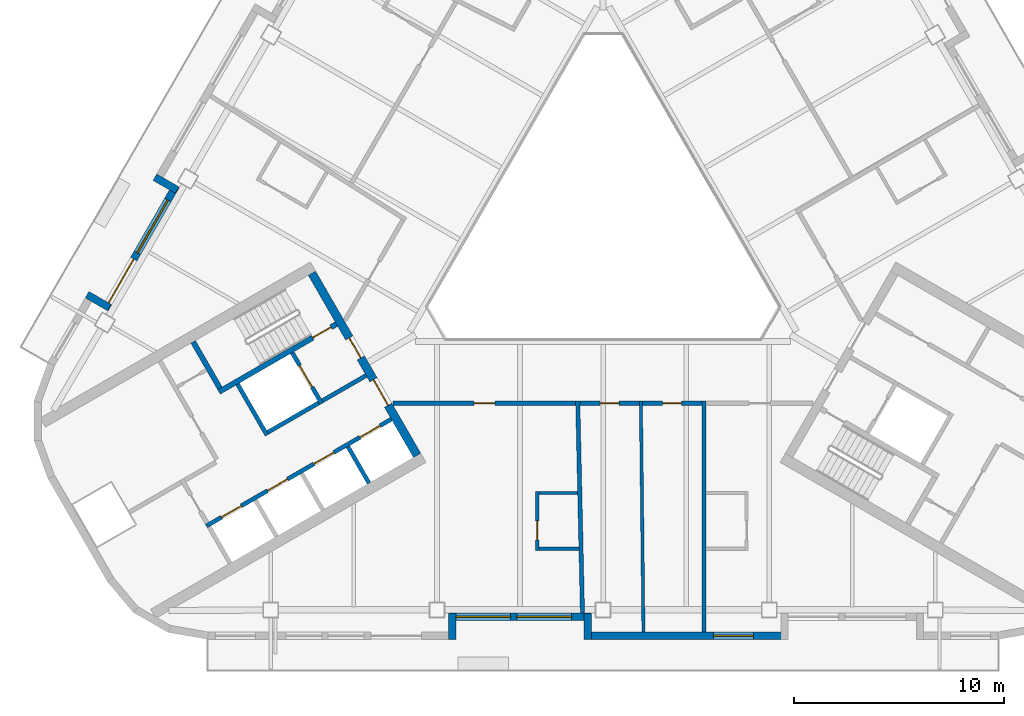
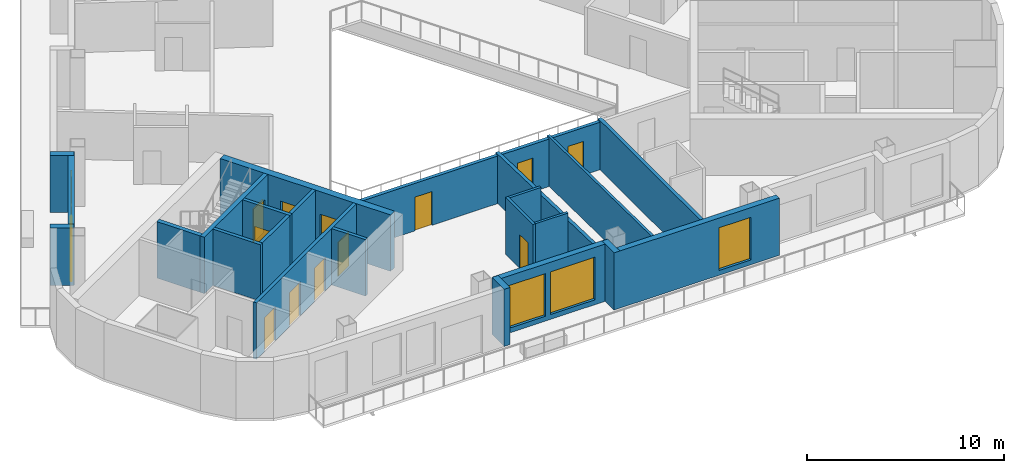
# One storey, part 3 of 13: 25 walls, 13 doors, 4 windows, 17 openings.
"""IFC4 building model written with IfcOpenShell, lengths in metres."""

from ifc_helpers import new_model, si_unit, direction, frame, frame_2d, origin, place, context, subcontext, project, spatial, rectangle, extrude, material, layer, layer_set, type_object, element, fill, save


model = new_model("IFC4")

# Units and contexts
model_context = context("Model", 3, precision=1e-05, world=origin(), true_north=direction((0.0, 1.0)))
body_context = subcontext(model_context, "Body", "Model", "MODEL_VIEW")
ifc_project = project(units=[si_unit("LENGTHUNIT", "METRE"), si_unit("AREAUNIT", "SQUARE_METRE"), si_unit("VOLUMEUNIT", "CUBIC_METRE"), si_unit("PLANEANGLEUNIT", "RADIAN"), si_unit("MASSUNIT", "GRAM", prefix="KILO")], contexts=[model_context])

# Site, building, storey
site_placement = place(None, origin())
site = spatial("IfcSite", under=ifc_project, at=site_placement, CompositionType="ELEMENT")
building_placement = place(site_placement, origin())
building = spatial("IfcBuilding", under=site, at=building_placement, Name="Apuvela Tower Hotel", CompositionType="ELEMENT")
storey_placement = place(building_placement, frame((0.0, 0.0, 198.39990234375)))
storey = spatial("IfcBuildingStorey", under=building, at=storey_placement, Name="L48", CompositionType="ELEMENT", Elevation=198.39990234375)

# Wall, openings, doors
ifc_material_1 = material(Name="Concrete C50/60", Category="concrete")
ifc_layer_1 = layer(ifc_material_1, 0.39990234375)
ifc_layer_set_1 = layer_set([ifc_layer_1], Name="COR-WALL-CORE-400")
wall_type_1 = type_object("IfcWallType", Name="COR-WALL-CORE-400", PredefinedType="SHEAR", material=ifc_layer_set_1)
wall_1_placement = place(storey_placement, frame((-13.844970703125, -2.219970703125, 0.0), z_axis=(0.0, 0.0, 1.0), x_axis=(0.500004234368, -0.866022959057, 0.0)))
wall_1 = element("IfcWall", 1, at=wall_1_placement, inside=storey, type_object=wall_type_1, Name="Core wall SW", PredefinedType="SHEAR", context=body_context, shape_type="SweptSolid", body=[
    extrude(rectangle(XDim=10.0, YDim=0.39990234375, at=frame_2d((5.0, 0.0))), origin(), (0.0, 0.0, 1.0), 3.5),
])
opening_1_placement = place(wall_1_placement, frame((3.550048828125, 0.0, 0.0)))
opening_1 = element("IfcOpeningElement", 2, at=opening_1_placement, cuts=wall_1, Name="Opening W-FD", PredefinedType="OPENING", context=body_context, shape_type="SweptSolid", body=[
    extrude(rectangle(XDim=1.10009765625, YDim=2.10009765625, at=frame_2d((0.550048828125, 1.050048828125))), frame((0.0, 0.2099609375, 0.0), z_axis=(0.0, -1.0, 0.0), x_axis=(1.0, 0.0, 0.0)), (0.0, 0.0, 1.0), 0.419921875),
])
opening_2_placement = place(wall_1_placement, frame((5.85009765625, 0.0, 0.0)))
opening_2 = element("IfcOpeningElement", 3, at=opening_2_placement, cuts=wall_1, Name="Opening W-GD", PredefinedType="OPENING", context=body_context, shape_type="SweptSolid", body=[
    extrude(rectangle(XDim=1.39990234375, YDim=2.10009765625, at=frame_2d((0.699951171875, 1.050048828125))), frame((0.0, 0.2099609375, 0.0), z_axis=(0.0, -1.0, 0.0), x_axis=(1.0, 0.0, 0.0)), (0.0, 0.0, 1.0), 0.419921875),
])
ifc_material_2 = material(Name="Steel fire door, powder coated", Category="steel")
door_type_1 = type_object("IfcDoorType", Name="COR-FD-1100", OperationType="NOTDEFINED", PredefinedType="DOOR", material=ifc_material_2)
door_1_placement = place(opening_1_placement, frame((1.10009765625, 0.0, 0.0), z_axis=(0.0, 0.0, 1.0), x_axis=(-1.0, 0.0, 0.0)))
door_1 = element("IfcDoor", 4, at=door_1_placement, inside=storey, type_object=door_type_1, Name="Firefighting lobby door W-FD", OperationType="SINGLE_SWING_LEFT", OverallHeight=2.10009765625, OverallWidth=1.10009765625, PredefinedType="DOOR", context=body_context, shape_type="SweptSolid", body=[
    extrude(rectangle(XDim=1.10009765625, YDim=2.10009765625, at=frame_2d((0.550048828125, 1.050048828125))), frame((0.0, 0.02490234375, 0.0), z_axis=(0.0, -1.0, 0.0), x_axis=(1.0, 0.0, 0.0)), (0.0, 0.0, 1.0), 0.050048828125),
])
fill(opening_1, door_1)
ifc_material_3 = material(Name="Glazed steel fire door", Category="steel")
door_type_2 = type_object("IfcDoorType", Name="COR-GD-1400", OperationType="DOUBLE_DOOR_SINGLE_SWING", PredefinedType="DOOR", material=ifc_material_3)
door_2_placement = place(opening_2_placement, frame((1.39990234375, 0.0, 0.0), z_axis=(0.0, 0.0, 1.0), x_axis=(-1.0, 0.0, 0.0)))
door_2 = element("IfcDoor", 5, at=door_2_placement, inside=storey, type_object=door_type_2, Name="Lift lobby door W-GD", OperationType="DOUBLE_DOOR_SINGLE_SWING", OverallHeight=2.10009765625, OverallWidth=1.39990234375, PredefinedType="DOOR", context=body_context, shape_type="SweptSolid", body=[
    extrude(rectangle(XDim=1.39990234375, YDim=2.10009765625, at=frame_2d((0.699951171875, 1.050048828125))), frame((0.0, 0.02490234375, 0.0), z_axis=(0.0, -1.0, 0.0), x_axis=(1.0, 0.0, 0.0)), (0.0, 0.0, 1.0), 0.050048828125),
])
fill(opening_2, door_2)

# Wall
ifc_layer_2 = layer(ifc_material_1, 0.199951171875)
ifc_layer_set_2 = layer_set([ifc_layer_2], Name="COR-WALL-SHAFT-200")
wall_type_2 = type_object("IfcWallType", Name="COR-WALL-SHAFT-200", PredefinedType="SHEAR", material=ifc_layer_set_2)
wall_2_placement = place(storey_placement, frame((-17.38134765625, -7.49462890625, 0.0), z_axis=(0.0, 0.0, 1.0), x_axis=(0.500011755427, -0.866018616679, 0.0)))
element("IfcWall", 6, at=wall_2_placement, inside=storey, type_object=wall_type_2, Name="Shaft wall SW", PredefinedType="SHEAR", context=body_context, shape_type="SweptSolid", body=[
    extrude(rectangle(XDim=2.80029296875, YDim=0.199951171875, at=frame_2d((1.400146484375, 0.0))), origin(), (0.0, 0.0, 1.0), 3.5),
])

# Wall, opening, door
wall_3_placement = place(storey_placement, frame((-14.783203125, -5.99462890625, 0.0), z_axis=(0.0, 0.0, 1.0), x_axis=(0.49994636267, -0.866056369097, 0.0)))
wall_3 = element("IfcWall", 7, at=wall_3_placement, inside=storey, type_object=wall_type_2, Name="Shaft wall SW", PredefinedType="SHEAR", context=body_context, shape_type="SweptSolid", body=[
    extrude(rectangle(XDim=2.800048828125, YDim=0.199951171875, at=frame_2d((1.39990234375, 0.0))), origin(), (0.0, 0.0, 1.0), 3.5),
])
opening_3_placement = place(wall_3_placement, frame((0.699951171875, 0.0, 0.0)))
opening_3 = element("IfcOpeningElement", 8, at=opening_3_placement, cuts=wall_3, Name="Opening W-LD-FS2", PredefinedType="OPENING", context=body_context, shape_type="SweptSolid", body=[
    extrude(rectangle(XDim=1.199951171875, YDim=2.10009765625, at=frame_2d((0.60009765625, 1.050048828125))), frame((0.0, 0.10986328125, 0.0), z_axis=(0.0, -1.0, 0.0), x_axis=(1.0, 0.0, 0.0)), (0.0, 0.0, 1.0), 0.219970703125),
])
ifc_material_4 = material(Name="Stainless steel lift landing door", Category="steel")
door_type_3 = type_object("IfcDoorType", Name="COR-LD-1200", OperationType="DOUBLE_DOOR_SLIDING", PredefinedType="DOOR", material=ifc_material_4)
door_3_placement = place(opening_3_placement, origin())
door_3 = element("IfcDoor", 9, at=door_3_placement, inside=storey, type_object=door_type_3, Name="Lift landing door W-LD-FS2", OperationType="DOUBLE_DOOR_SLIDING", OverallHeight=2.10009765625, OverallWidth=1.199951171875, PredefinedType="DOOR", context=body_context, shape_type="SweptSolid", body=[
    extrude(rectangle(XDim=1.199951171875, YDim=2.10009765625, at=frame_2d((0.60009765625, 1.050048828125))), frame((0.0, 0.02490234375, 0.0), z_axis=(0.0, -1.0, 0.0), x_axis=(1.0, 0.0, 0.0)), (0.0, 0.0, 1.0), 0.050048828125),
])
fill(opening_3, door_3)

# Walls
wall_4_placement = place(storey_placement, frame((-13.519775390625, -8.383056640625, 0.0), z_axis=(0.0, 0.0, 1.0), x_axis=(-0.866034573852, -0.49998411664, 0.0)))
element("IfcWall", 10, at=wall_4_placement, inside=storey, type_object=wall_type_2, Name="Shaft wall SW", PredefinedType="SHEAR", context=body_context, shape_type="SweptSolid", body=[
    extrude(rectangle(XDim=2.7998046875, YDim=0.199951171875, at=frame_2d((1.39990234375, 0.0))), origin(), (0.0, 0.0, 1.0), 3.5),
])
wall_5_placement = place(storey_placement, frame((-11.26806640625, -7.0830078125, 0.0), z_axis=(0.0, 0.0, 1.0), x_axis=(-0.866050077142, -0.499957262057, 0.0)))
element("IfcWall", 11, at=wall_5_placement, inside=storey, type_object=wall_type_2, Name="Shaft wall SW", PredefinedType="SHEAR", context=body_context, shape_type="SweptSolid", body=[
    extrude(rectangle(XDim=2.400146484375, YDim=0.199951171875, at=frame_2d((1.2001953125, 0.0))), origin(), (0.0, 0.0, 1.0), 3.5),
])

# Wall, openings, doors
wall_6_placement = place(storey_placement, frame((-10.068115234375, -9.16162109375, 0.0), z_axis=(0.0, 0.0, 1.0), x_axis=(-0.866032725843, -0.499987317609, 0.0)))
wall_6 = element("IfcWall", 12, at=wall_6_placement, inside=storey, type_object=wall_type_2, Name="Shaft wall SW", PredefinedType="SHEAR", context=body_context, shape_type="SweptSolid", body=[
    extrude(rectangle(XDim=10.159912109375, YDim=0.199951171875, at=frame_2d((5.080078125, 0.0))), origin(), (0.0, 0.0, 1.0), 3.5),
])
opening_4_placement = place(wall_6_placement, frame((0.6201171875, 0.0, 0.0)))
opening_4 = element("IfcOpeningElement", 13, at=opening_4_placement, cuts=wall_6, Name="Opening W-LD-MR1", PredefinedType="OPENING", context=body_context, shape_type="SweptSolid", body=[
    extrude(rectangle(XDim=1.10009765625, YDim=2.10009765625, at=frame_2d((0.550048828125, 1.050048828125))), frame((0.0, 0.10986328125, 0.0), z_axis=(0.0, -1.0, 0.0), x_axis=(1.0, 0.0, 0.0)), (0.0, 0.0, 1.0), 0.219970703125),
])
opening_5_placement = place(wall_6_placement, frame((3.159912109375, 0.0, 0.0)))
opening_5 = element("IfcOpeningElement", 14, at=opening_5_placement, cuts=wall_6, Name="Opening W-LD-MR2", PredefinedType="OPENING", context=body_context, shape_type="SweptSolid", body=[
    extrude(rectangle(XDim=1.10009765625, YDim=2.10009765625, at=frame_2d((0.550048828125, 1.050048828125))), frame((0.0, 0.10986328125, 0.0), z_axis=(0.0, -1.0, 0.0), x_axis=(1.0, 0.0, 0.0)), (0.0, 0.0, 1.0), 0.219970703125),
])
opening_6_placement = place(wall_6_placement, frame((5.699951171875, 0.0, 0.0)))
opening_6 = element("IfcOpeningElement", 15, at=opening_6_placement, cuts=wall_6, Name="Opening W-LD-MR3", PredefinedType="OPENING", context=body_context, shape_type="SweptSolid", body=[
    extrude(rectangle(XDim=1.10009765625, YDim=2.10009765625, at=frame_2d((0.550048828125, 1.050048828125))), frame((0.0, 0.10986328125, 0.0), z_axis=(0.0, -1.0, 0.0), x_axis=(1.0, 0.0, 0.0)), (0.0, 0.0, 1.0), 0.219970703125),
])
opening_7_placement = place(wall_6_placement, frame((8.239990234375, 0.0, 0.0)))
opening_7 = element("IfcOpeningElement", 16, at=opening_7_placement, cuts=wall_6, Name="Opening W-LD-MR4", PredefinedType="OPENING", context=body_context, shape_type="SweptSolid", body=[
    extrude(rectangle(XDim=1.10009765625, YDim=2.10009765625, at=frame_2d((0.550048828125, 1.050048828125))), frame((0.0, 0.10986328125, 0.0), z_axis=(0.0, -1.0, 0.0), x_axis=(1.0, 0.0, 0.0)), (0.0, 0.0, 1.0), 0.219970703125),
])
door_type_4 = type_object("IfcDoorType", Name="COR-LD-1100", OperationType="DOUBLE_DOOR_SLIDING", PredefinedType="DOOR", material=ifc_material_4)
door_4_placement = place(opening_4_placement, origin())
door_4 = element("IfcDoor", 17, at=door_4_placement, inside=storey, type_object=door_type_4, Name="Lift landing door W-LD-MR1", OperationType="DOUBLE_DOOR_SLIDING", OverallHeight=2.10009765625, OverallWidth=1.10009765625, PredefinedType="DOOR", context=body_context, shape_type="SweptSolid", body=[
    extrude(rectangle(XDim=1.10009765625, YDim=2.10009765625, at=frame_2d((0.550048828125, 1.050048828125))), frame((0.0, 0.02490234375, 0.0), z_axis=(0.0, -1.0, 0.0), x_axis=(1.0, 0.0, 0.0)), (0.0, 0.0, 1.0), 0.050048828125),
])
fill(opening_4, door_4)
door_5_placement = place(opening_5_placement, origin())
door_5 = element("IfcDoor", 18, at=door_5_placement, inside=storey, type_object=door_type_4, Name="Lift landing door W-LD-MR2", OperationType="DOUBLE_DOOR_SLIDING", OverallHeight=2.10009765625, OverallWidth=1.10009765625, PredefinedType="DOOR", context=body_context, shape_type="SweptSolid", body=[
    extrude(rectangle(XDim=1.10009765625, YDim=2.10009765625, at=frame_2d((0.550048828125, 1.050048828125))), frame((0.0, 0.02490234375, 0.0), z_axis=(0.0, -1.0, 0.0), x_axis=(1.0, 0.0, 0.0)), (0.0, 0.0, 1.0), 0.050048828125),
])
fill(opening_5, door_5)
door_6_placement = place(opening_6_placement, origin())
door_6 = element("IfcDoor", 19, at=door_6_placement, inside=storey, type_object=door_type_4, Name="Lift landing door W-LD-MR3", OperationType="DOUBLE_DOOR_SLIDING", OverallHeight=2.10009765625, OverallWidth=1.10009765625, PredefinedType="DOOR", context=body_context, shape_type="SweptSolid", body=[
    extrude(rectangle(XDim=1.10009765625, YDim=2.10009765625, at=frame_2d((0.550048828125, 1.050048828125))), frame((0.0, 0.02490234375, 0.0), z_axis=(0.0, -1.0, 0.0), x_axis=(1.0, 0.0, 0.0)), (0.0, 0.0, 1.0), 0.050048828125),
])
fill(opening_6, door_6)
door_7_placement = place(opening_7_placement, origin())
door_7 = element("IfcDoor", 20, at=door_7_placement, inside=storey, type_object=door_type_4, Name="Lift landing door W-LD-MR4", OperationType="DOUBLE_DOOR_SLIDING", OverallHeight=2.10009765625, OverallWidth=1.10009765625, PredefinedType="DOOR", context=body_context, shape_type="SweptSolid", body=[
    extrude(rectangle(XDim=1.10009765625, YDim=2.10009765625, at=frame_2d((0.550048828125, 1.050048828125))), frame((0.0, 0.02490234375, 0.0), z_axis=(0.0, -1.0, 0.0), x_axis=(1.0, 0.0, 0.0)), (0.0, 0.0, 1.0), 0.050048828125),
])
fill(opening_7, door_7)

# Wall
wall_7_placement = place(storey_placement, frame((-12.131103515625, -10.468017578125, 0.0), z_axis=(0.0, 0.0, 1.0), x_axis=(0.499972520799, -0.866041268327, 0.0)))
element("IfcWall", 21, at=wall_7_placement, inside=storey, type_object=wall_type_2, Name="Shaft wall SW", PredefinedType="SHEAR", context=body_context, shape_type="SweptSolid", body=[
    extrude(rectangle(XDim=2.0, YDim=0.199951171875, at=frame_2d((1.0, 0.0))), origin(), (0.0, 0.0, 1.0), 3.5),
])

# Wall, opening, door
ifc_layer_3 = layer(ifc_material_1, 0.25)
ifc_layer_set_3 = layer_set([ifc_layer_3], Name="COR-WALL-STAIR-250")
wall_type_3 = type_object("IfcWallType", Name="COR-WALL-STAIR-250", PredefinedType="SHEAR", material=ifc_layer_set_3)
wall_8_placement = place(storey_placement, frame((-12.6806640625, -4.636474609375, 0.0), z_axis=(0.0, 0.0, 1.0), x_axis=(-0.866021702275, -0.500006411147, 0.0)))
wall_8 = element("IfcWall", 22, at=wall_8_placement, inside=storey, type_object=wall_type_3, Name="Stair wall SW", PredefinedType="SHEAR", context=body_context, shape_type="SweptSolid", body=[
    extrude(rectangle(XDim=6.4501953125, YDim=0.25, at=frame_2d((3.22509765625, 0.0))), origin(), (0.0, 0.0, 1.0), 3.5),
])
opening_8_placement = place(wall_8_placement, frame((0.300048828125, 0.0, 0.0)))
opening_8 = element("IfcOpeningElement", 23, at=opening_8_placement, cuts=wall_8, Name="Opening W-SD", PredefinedType="OPENING", context=body_context, shape_type="SweptSolid", body=[
    extrude(rectangle(XDim=1.0, YDim=2.10009765625, at=frame_2d((0.5, 1.050048828125))), frame((0.0, 0.135009765625, 0.0), z_axis=(0.0, -1.0, 0.0), x_axis=(1.0, 0.0, 0.0)), (0.0, 0.0, 1.0), 0.27001953125),
])
door_type_5 = type_object("IfcDoorType", Name="COR-SD-1000", OperationType="NOTDEFINED", PredefinedType="DOOR", material=ifc_material_2)
door_8_placement = place(opening_8_placement, frame((1.0, 0.0, 0.0), z_axis=(0.0, 0.0, 1.0), x_axis=(-1.0, 0.0, 0.0)))
door_8 = element("IfcDoor", 24, at=door_8_placement, inside=storey, type_object=door_type_5, Name="Stair door W-SD", OperationType="SINGLE_SWING_LEFT", OverallHeight=2.10009765625, OverallWidth=1.0, PredefinedType="DOOR", context=body_context, shape_type="SweptSolid", body=[
    extrude(rectangle(XDim=1.0, YDim=2.10009765625, at=frame_2d((0.5, 1.050048828125))), frame((0.0, 0.02490234375, 0.0), z_axis=(0.0, -1.0, 0.0), x_axis=(1.0, 0.0, 0.0)), (0.0, 0.0, 1.0), 0.050048828125),
])
fill(opening_8, door_8)

# Walls
wall_9_placement = place(storey_placement, frame((-19.49560546875, -5.482421875, 0.0), z_axis=(0.0, 0.0, 1.0), x_axis=(0.499990435942, -0.866030925526, 0.0)))
element("IfcWall", 25, at=wall_9_placement, inside=storey, type_object=wall_type_3, Name="Stair wall SW", PredefinedType="SHEAR", context=body_context, shape_type="SweptSolid", body=[
    extrude(rectangle(XDim=2.5498046875, YDim=0.25, at=frame_2d((1.27490234375, 0.0))), origin(), (0.0, 0.0, 1.0), 3.5),
])
ifc_material_5 = material(Name="Concrete C40/50, dark pigmented precast panel", Category="concrete")
ifc_layer_4 = layer(ifc_material_5, 0.35009765625)
ifc_layer_set_4 = layer_set([ifc_layer_4], Name="ENV-WALL-350")
wall_type_4 = type_object("IfcWallType", Name="ENV-WALL-350", PredefinedType="SOLIDWALL", material=ifc_layer_set_4)
wall_10_placement = place(storey_placement, frame((-21.3125, 2.345703125, 0.0), z_axis=(0.0, 0.0, 1.0), x_axis=(0.866005645448, -0.500034220881, 0.0)))
element("IfcWall", 26, at=wall_10_placement, inside=storey, type_object=wall_type_4, Name="External wall L48-06", PredefinedType="SOLIDWALL", context=body_context, shape_type="SweptSolid", body=[
    extrude(rectangle(XDim=1.22021484375, YDim=0.35009765625, at=frame_2d((0.610107421875, 0.0))), origin(), (0.0, 0.0, 1.0), 3.550048828125),
])

# Wall, openings, door, window
wall_11_placement = place(storey_placement, frame((-20.30908203125, 1.93359375, 0.0), z_axis=(0.0, 0.0, 1.0), x_axis=(-0.499992114976, -0.866029956157, 0.0)))
wall_11 = element("IfcWall", 27, at=wall_11_placement, inside=storey, type_object=wall_type_4, Name="External wall L48-07", PredefinedType="SOLIDWALL", context=body_context, shape_type="SweptSolid", body=[
    extrude(rectangle(XDim=6.73974609375, YDim=0.35009765625, at=frame_2d((3.369873046875, 0.0))), origin(), (0.0, 0.0, 1.0), 3.550048828125),
])
opening_9_placement = place(wall_11_placement, frame((4.02001953125, 0.0, 0.0)))
opening_9 = element("IfcOpeningElement", 28, at=opening_9_placement, cuts=wall_11, Name="Opening BD24", PredefinedType="OPENING", context=body_context, shape_type="SweptSolid", body=[
    extrude(rectangle(XDim=2.39990234375, YDim=2.39990234375, at=frame_2d((1.199951171875, 1.199951171875))), frame((0.0, 0.18505859375, 0.0), z_axis=(0.0, -1.0, 0.0), x_axis=(1.0, 0.0, 0.0)), (0.0, 0.0, 1.0), 0.3701171875),
])
opening_10_placement = place(wall_11_placement, frame((0.77001953125, 0.0, 0.300048828125)))
opening_10 = element("IfcOpeningElement", 29, at=opening_10_placement, cuts=wall_11, Name="Opening WN29", PredefinedType="OPENING", context=body_context, shape_type="SweptSolid", body=[
    extrude(rectangle(XDim=2.89990234375, YDim=2.64990234375, at=frame_2d((1.449951171875, 1.324951171875))), frame((0.0, 0.18505859375, 0.0), z_axis=(0.0, -1.0, 0.0), x_axis=(1.0, 0.0, 0.0)), (0.0, 0.0, 1.0), 0.3701171875),
])
ifc_material_6 = material(Name="Aluminium 6063-T6, dark bronze anodised frame with dark tinted laminated glass", Category="aluminium")
door_type_6 = type_object("IfcDoorType", Name="ENV-DOOR-BALCONY-2400x2400", OperationType="SLIDING_TO_LEFT", PredefinedType="DOOR", material=ifc_material_6)
door_9_placement = place(opening_9_placement, frame((2.39990234375, 0.0, 0.0), z_axis=(0.0, 0.0, 1.0), x_axis=(-1.0, 0.0, 0.0)))
door_9 = element("IfcDoor", 30, at=door_9_placement, inside=storey, type_object=door_type_6, Name="Balcony door BD24", OperationType="SLIDING_TO_LEFT", OverallHeight=2.39990234375, OverallWidth=2.39990234375, PredefinedType="DOOR", context=body_context, shape_type="SweptSolid", body=[
    extrude(rectangle(XDim=2.39990234375, YDim=2.39990234375, at=frame_2d((1.199951171875, 1.199951171875))), frame((0.0, 0.02490234375, 0.0), z_axis=(0.0, -1.0, 0.0), x_axis=(1.0, 0.0, 0.0)), (0.0, 0.0, 1.0), 0.050048828125),
])
fill(opening_9, door_9)
ifc_material_7 = material(Name="Glass, dark tinted laminated insulated glazing unit", Category="glass")
window_type_1 = type_object("IfcWindowType", Name="ENV-WIN-2900x2650", PartitioningType="SINGLE_PANEL", PredefinedType="WINDOW", material=ifc_material_7)
window_1_placement = place(opening_10_placement, origin())
window_1 = element("IfcWindow", 31, at=window_1_placement, inside=storey, type_object=window_type_1, Name="Window WN29", OverallHeight=2.64990234375, OverallWidth=2.89990234375, PartitioningType="SINGLE_PANEL", PredefinedType="WINDOW", context=body_context, shape_type="SweptSolid", body=[
    extrude(rectangle(XDim=2.89990234375, YDim=2.64990234375, at=frame_2d((1.449951171875, 1.324951171875))), frame((0.0, 0.030029296875, 0.0), z_axis=(0.0, -1.0, 0.0), x_axis=(1.0, 0.0, 0.0)), (0.0, 0.0, 1.0), 0.06005859375),
])
fill(opening_10, window_1)

# Walls
for number, where, z_axis, x_axis, name in (
    (32, (-23.48095703125, -3.85009765625, 0.0), (0.0, 0.0, 1.0), (-0.866092288191, 0.499884134912, 0.0), "External wall L48-08"),
    (33, (-7.175048828125, -19.6298828125, 0.0), (0.0, 0.0, 1.0), (0.0, 1.0, 0.0), "External wall L48-18"),
):
    element("IfcWall", number, at=place(storey_placement, frame(where, z_axis=z_axis, x_axis=x_axis)), inside=storey, type_object=wall_type_4, Name=name, PredefinedType="SOLIDWALL", context=body_context, shape_type="SweptSolid", body=[
        extrude(rectangle(XDim=1.219970703125, YDim=0.35009765625, at=frame_2d((0.60986328125, 0.0))), origin(), (0.0, 0.0, 1.0), 3.550048828125),
    ])

# Wall, openings, windows
wall_12_placement = place(storey_placement, frame((-7.320068359375, -18.554931640625, 0.0), z_axis=(0.0, 0.0, 1.0), x_axis=(1.0, 0.0, 0.0)))
wall_12 = element("IfcWall", 34, at=wall_12_placement, inside=storey, type_object=wall_type_4, Name="External wall L48-19", PredefinedType="SOLIDWALL", context=body_context, shape_type="SweptSolid", body=[
    extrude(rectangle(XDim=6.739990234375, YDim=0.35009765625, at=frame_2d((3.3701171875, 0.0))), origin(), (0.0, 0.0, 1.0), 3.550048828125),
])
opening_11_placement = place(wall_12_placement, frame((0.3203125, 0.0, 0.300048828125)))
opening_11 = element("IfcOpeningElement", 35, at=opening_11_placement, cuts=wall_12, Name="Opening WN26", PredefinedType="OPENING", context=body_context, shape_type="SweptSolid", body=[
    extrude(rectangle(XDim=2.60009765625, YDim=2.64990234375, at=frame_2d((1.300048828125, 1.324951171875))), frame((0.0, 0.18505859375, 0.0), z_axis=(0.0, -1.0, 0.0), x_axis=(1.0, 0.0, 0.0)), (0.0, 0.0, 1.0), 0.3701171875),
])
opening_12_placement = place(wall_12_placement, frame((3.220458984375, 0.0, 0.300048828125)))
opening_12 = element("IfcOpeningElement", 36, at=opening_12_placement, cuts=wall_12, Name="Opening WN26", PredefinedType="OPENING", context=body_context, shape_type="SweptSolid", body=[
    extrude(rectangle(XDim=2.60009765625, YDim=2.64990234375, at=frame_2d((1.300048828125, 1.324951171875))), frame((0.0, 0.18505859375, 0.0), z_axis=(0.0, -1.0, 0.0), x_axis=(1.0, 0.0, 0.0)), (0.0, 0.0, 1.0), 0.3701171875),
])
window_type_2 = type_object("IfcWindowType", Name="ENV-WIN-2600x2650", PartitioningType="SINGLE_PANEL", PredefinedType="WINDOW", material=ifc_material_7)
window_2_placement = place(opening_11_placement, origin())
window_2 = element("IfcWindow", 37, at=window_2_placement, inside=storey, type_object=window_type_2, Name="Window WN26", OverallHeight=2.64990234375, OverallWidth=2.60009765625, PartitioningType="SINGLE_PANEL", PredefinedType="WINDOW", context=body_context, shape_type="SweptSolid", body=[
    extrude(rectangle(XDim=2.60009765625, YDim=2.64990234375, at=frame_2d((1.300048828125, 1.324951171875))), frame((0.0, 0.030029296875, 0.0), z_axis=(0.0, -1.0, 0.0), x_axis=(1.0, 0.0, 0.0)), (0.0, 0.0, 1.0), 0.06005859375),
])
fill(opening_11, window_2)
window_3_placement = place(opening_12_placement, origin())
window_3 = element("IfcWindow", 38, at=window_3_placement, inside=storey, type_object=window_type_2, Name="Window WN26", OverallHeight=2.64990234375, OverallWidth=2.60009765625, PartitioningType="SINGLE_PANEL", PredefinedType="WINDOW", context=body_context, shape_type="SweptSolid", body=[
    extrude(rectangle(XDim=2.60009765625, YDim=2.64990234375, at=frame_2d((1.300048828125, 1.324951171875))), frame((0.0, 0.030029296875, 0.0), z_axis=(0.0, -1.0, 0.0), x_axis=(1.0, 0.0, 0.0)), (0.0, 0.0, 1.0), 0.06005859375),
])
fill(opening_12, window_3)

# Wall
wall_13_placement = place(storey_placement, frame((-0.72509765625, -18.409912109375, 0.0), z_axis=(0.0, 0.0, 1.0), x_axis=(0.0, -1.0, 0.0)))
element("IfcWall", 39, at=wall_13_placement, inside=storey, type_object=wall_type_4, Name="External wall L48-20", PredefinedType="SOLIDWALL", context=body_context, shape_type="SweptSolid", body=[
    extrude(rectangle(XDim=1.219970703125, YDim=0.35009765625, at=frame_2d((0.60986328125, 0.0))), origin(), (0.0, 0.0, 1.0), 3.550048828125),
])

# Wall, opening, window
wall_14_placement = place(storey_placement, frame((-0.89990234375, -19.455078125, 0.0), z_axis=(0.0, 0.0, 1.0), x_axis=(1.0, 0.0, 0.0)))
wall_14 = element("IfcWall", 40, at=wall_14_placement, inside=storey, type_object=wall_type_4, Name="External wall L48-21", PredefinedType="SOLIDWALL", context=body_context, shape_type="SweptSolid", body=[
    extrude(rectangle(XDim=9.699951171875, YDim=0.35009765625, at=frame_2d((4.85009765625, 0.0))), origin(), (0.0, 0.0, 1.0), 3.550048828125),
])
opening_13_placement = place(wall_14_placement, frame((6.150390625, 0.0, 0.300048828125)))
opening_13 = element("IfcOpeningElement", 41, at=opening_13_placement, cuts=wall_14, Name="Opening WN19", PredefinedType="OPENING", context=body_context, shape_type="SweptSolid", body=[
    extrude(rectangle(XDim=1.89990234375, YDim=2.64990234375, at=frame_2d((0.949951171875, 1.324951171875))), frame((0.0, 0.18505859375, 0.0), z_axis=(0.0, -1.0, 0.0), x_axis=(1.0, 0.0, 0.0)), (0.0, 0.0, 1.0), 0.3701171875),
])
window_type_3 = type_object("IfcWindowType", Name="ENV-WIN-1900x2650", PartitioningType="SINGLE_PANEL", PredefinedType="WINDOW", material=ifc_material_7)
window_4_placement = place(opening_13_placement, origin())
window_4 = element("IfcWindow", 42, at=window_4_placement, inside=storey, type_object=window_type_3, Name="Window WN19", OverallHeight=2.64990234375, OverallWidth=1.89990234375, PartitioningType="SINGLE_PANEL", PredefinedType="WINDOW", context=body_context, shape_type="SweptSolid", body=[
    extrude(rectangle(XDim=1.89990234375, YDim=2.64990234375, at=frame_2d((0.949951171875, 1.324951171875))), frame((0.0, 0.030029296875, 0.0), z_axis=(0.0, -1.0, 0.0), x_axis=(1.0, 0.0, 0.0)), (0.0, 0.0, 1.0), 0.06005859375),
])
fill(opening_13, window_4)

# Walls
ifc_material_8 = material(Name="Gypsum board partition on twin steel stud", Category="steel")
ifc_layer_5 = layer(ifc_material_8, 0.199951171875)
ifc_layer_set_5 = layer_set([ifc_layer_5], Name="GST-PW1")
wall_type_5 = type_object("IfcWallType", Name="GST-PW1", PredefinedType="PARTITIONING", material=ifc_layer_set_5)
wall_15_placement = place(storey_placement, frame((-0.97998046875, -18.3798828125, 0.0), z_axis=(0.0, 0.0, 1.0), x_axis=(-0.022277513004, 0.999751825412, 0.0)))
element("IfcWall", 43, at=wall_15_placement, inside=storey, type_object=wall_type_5, Name="L48 partition 01", PredefinedType="PARTITIONING", context=body_context, shape_type="SweptSolid", body=[
    extrude(rectangle(XDim=10.082275390625, YDim=0.199951171875, at=frame_2d((5.041015625, 0.0))), origin(), (0.0, 0.0, 1.0), 3.06005859375),
])
wall_16_placement = place(storey_placement, frame((4.800048828125, -19.280029296875, 0.0), z_axis=(0.0, 0.0, 1.0), x_axis=(0.0, 1.0, 0.0)))
element("IfcWall", 44, at=wall_16_placement, inside=storey, type_object=wall_type_5, Name="L48 partition 02", PredefinedType="PARTITIONING", context=body_context, shape_type="SweptSolid", body=[
    extrude(rectangle(XDim=10.97998046875, YDim=0.199951171875, at=frame_2d((5.489990234375, 0.0))), origin(), (0.0, 0.0, 1.0), 3.06005859375),
])

# Wall, opening, door
ifc_material_9 = material(Name="Gypsum board corridor wall on twin steel stud, acoustic", Category="steel")
ifc_layer_6 = layer(ifc_material_9, 0.199951171875)
ifc_layer_set_6 = layer_set([ifc_layer_6], Name="GST-PW2")
wall_type_6 = type_object("IfcWallType", Name="GST-PW2", PredefinedType="PARTITIONING", material=ifc_layer_set_6)
wall_17_placement = place(storey_placement, frame((-1.30224609375, -8.39990234375, 0.0), z_axis=(0.0, 0.0, 1.0), x_axis=(-1.0, 0.0, 0.0)))
wall_17 = element("IfcWall", 45, at=wall_17_placement, inside=storey, type_object=wall_type_6, Name="L48 partition 07", PredefinedType="PARTITIONING", context=body_context, shape_type="SweptSolid", body=[
    extrude(rectangle(XDim=8.68603515625, YDim=0.199951171875, at=frame_2d((4.343017578125, 0.0))), origin(), (0.0, 0.0, 1.0), 2.9501953125),
])
opening_14_placement = place(wall_17_placement, frame((3.843017578125, 0.0, 0.0)))
opening_14 = element("IfcOpeningElement", 46, at=opening_14_placement, cuts=wall_17, Name="Opening GD18-02", PredefinedType="OPENING", context=body_context, shape_type="SweptSolid", body=[
    extrude(rectangle(XDim=1.0, YDim=2.10009765625, at=frame_2d((0.5, 1.050048828125))), frame((0.0, 0.10986328125, 0.0), z_axis=(0.0, -1.0, 0.0), x_axis=(1.0, 0.0, 0.0)), (0.0, 0.0, 1.0), 0.219970703125),
])
ifc_material_10 = material(Name="Timber door leaf in steel frame", Category="steel")
door_type_7 = type_object("IfcDoorType", Name="GST-D1", OperationType="NOTDEFINED", PredefinedType="DOOR", material=ifc_material_10)
door_10_placement = place(opening_14_placement, origin())
door_10 = element("IfcDoor", 47, at=door_10_placement, inside=storey, type_object=door_type_7, Name="Door L48-02", OperationType="SINGLE_SWING_LEFT", OverallHeight=2.10009765625, OverallWidth=1.0, PredefinedType="DOOR", context=body_context, shape_type="SweptSolid", body=[
    extrude(rectangle(XDim=1.0, YDim=2.10009765625, at=frame_2d((0.5, 1.050048828125))), frame((0.0, 0.02490234375, 0.0), z_axis=(0.0, -1.0, 0.0), x_axis=(1.0, 0.0, 0.0)), (0.0, 0.0, 1.0), 0.050048828125),
])
fill(opening_14, door_10)

wall_18_placement = place(storey_placement, frame((1.723876953125, -8.39990234375, 0.0), z_axis=(0.0, 0.0, 1.0), x_axis=(-1.0, 0.0, 0.0)))
wall_18 = element("IfcWall", 48, at=wall_18_placement, inside=storey, type_object=wall_type_6, Name="L48 partition 12", PredefinedType="PARTITIONING", context=body_context, shape_type="SweptSolid", body=[
    extrude(rectangle(XDim=2.826171875, YDim=0.199951171875, at=frame_2d((1.4130859375, 0.0))), origin(), (0.0, 0.0, 1.0), 2.9501953125),
])
opening_15_placement = place(wall_18_placement, frame((0.963134765625, 0.0, 0.0)))
opening_15 = element("IfcOpeningElement", 49, at=opening_15_placement, cuts=wall_18, Name="Opening GD18-03", PredefinedType="OPENING", context=body_context, shape_type="SweptSolid", body=[
    extrude(rectangle(XDim=0.89990234375, YDim=2.10009765625, at=frame_2d((0.449951171875, 1.050048828125))), frame((0.0, 0.10986328125, 0.0), z_axis=(0.0, -1.0, 0.0), x_axis=(1.0, 0.0, 0.0)), (0.0, 0.0, 1.0), 0.219970703125),
])
door_type_8 = type_object("IfcDoorType", Name="GST-D2", OperationType="NOTDEFINED", PredefinedType="DOOR", material=ifc_material_10)
door_11_placement = place(opening_15_placement, origin())
door_11 = element("IfcDoor", 50, at=door_11_placement, inside=storey, type_object=door_type_8, Name="Door L48-03", OperationType="SINGLE_SWING_LEFT", OverallHeight=2.10009765625, OverallWidth=0.89990234375, PredefinedType="DOOR", context=body_context, shape_type="SweptSolid", body=[
    extrude(rectangle(XDim=0.89990234375, YDim=2.10009765625, at=frame_2d((0.449951171875, 1.050048828125))), frame((0.0, 0.02490234375, 0.0), z_axis=(0.0, -1.0, 0.0), x_axis=(1.0, 0.0, 0.0)), (0.0, 0.0, 1.0), 0.050048828125),
])
fill(opening_15, door_11)

wall_19_placement = place(storey_placement, frame((4.699951171875, -8.39990234375, 0.0), z_axis=(0.0, 0.0, 1.0), x_axis=(-1.0, 0.0, 0.0)))
wall_19 = element("IfcWall", 51, at=wall_19_placement, inside=storey, type_object=wall_type_6, Name="L48 partition 13", PredefinedType="PARTITIONING", context=body_context, shape_type="SweptSolid", body=[
    extrude(rectangle(XDim=2.826171875, YDim=0.199951171875, at=frame_2d((1.4130859375, 0.0))), origin(), (0.0, 0.0, 1.0), 2.9501953125),
])
opening_16_placement = place(wall_19_placement, frame((0.963134765625, 0.0, 0.0)))
opening_16 = element("IfcOpeningElement", 52, at=opening_16_placement, cuts=wall_19, Name="Opening GD18-04", PredefinedType="OPENING", context=body_context, shape_type="SweptSolid", body=[
    extrude(rectangle(XDim=0.89990234375, YDim=2.10009765625, at=frame_2d((0.449951171875, 1.050048828125))), frame((0.0, 0.10986328125, 0.0), z_axis=(0.0, -1.0, 0.0), x_axis=(1.0, 0.0, 0.0)), (0.0, 0.0, 1.0), 0.219970703125),
])
door_12_placement = place(opening_16_placement, origin())
door_12 = element("IfcDoor", 53, at=door_12_placement, inside=storey, type_object=door_type_8, Name="Door L48-04", OperationType="SINGLE_SWING_RIGHT", OverallHeight=2.10009765625, OverallWidth=0.89990234375, PredefinedType="DOOR", context=body_context, shape_type="SweptSolid", body=[
    extrude(rectangle(XDim=0.89990234375, YDim=2.10009765625, at=frame_2d((0.449951171875, 1.050048828125))), frame((0.0, 0.02490234375, 0.0), z_axis=(0.0, -1.0, 0.0), x_axis=(1.0, 0.0, 0.0)), (0.0, 0.0, 1.0), 0.050048828125),
])
fill(opening_16, door_12)

ifc_material_11 = material(Name="Moisture-resistant gypsum board wet wall on steel stud", Category="steel")
ifc_layer_7 = layer(ifc_material_11, 0.14990234375)
ifc_layer_set_7 = layer_set([ifc_layer_7], Name="GST-PW3")
wall_type_7 = type_object("IfcWallType", Name="GST-PW3", PredefinedType="PARTITIONING", material=ifc_layer_set_7)
wall_20_placement = place(storey_placement, frame((-3.1337890625, -12.60009765625, 0.0), z_axis=(0.0, 0.0, 1.0), x_axis=(0.0, -1.0, 0.0)))
wall_20 = element("IfcWall", 54, at=wall_20_placement, inside=storey, type_object=wall_type_7, Name="L48 partition 08", PredefinedType="PARTITIONING", context=body_context, shape_type="SweptSolid", body=[
    extrude(rectangle(XDim=2.7998046875, YDim=0.14990234375, at=frame_2d((1.39990234375, 0.0))), origin(), (0.0, 0.0, 1.0), 3.550048828125),
])
opening_17_placement = place(wall_20_placement, frame((1.39990234375, 0.0, 0.0)))
opening_17 = element("IfcOpeningElement", 55, at=opening_17_placement, cuts=wall_20, Name="Opening GD18-01", PredefinedType="OPENING", context=body_context, shape_type="SweptSolid", body=[
    extrude(rectangle(XDim=0.89990234375, YDim=2.10009765625, at=frame_2d((0.449951171875, 1.050048828125))), frame((0.0, 0.0849609375, 0.0), z_axis=(0.0, -1.0, 0.0), x_axis=(1.0, 0.0, 0.0)), (0.0, 0.0, 1.0), 0.169921875),
])
door_13_placement = place(opening_17_placement, origin())
door_13 = element("IfcDoor", 56, at=door_13_placement, inside=storey, type_object=door_type_8, Name="Door L48-01", OperationType="SINGLE_SWING_RIGHT", OverallHeight=2.10009765625, OverallWidth=0.89990234375, PredefinedType="DOOR", context=body_context, shape_type="SweptSolid", body=[
    extrude(rectangle(XDim=0.89990234375, YDim=2.10009765625, at=frame_2d((0.449951171875, 1.050048828125))), frame((0.0, 0.02490234375, 0.0), z_axis=(0.0, -1.0, 0.0), x_axis=(1.0, 0.0, 0.0)), (0.0, 0.0, 1.0), 0.050048828125),
])
fill(opening_17, door_13)

# Walls
wall_21_placement = place(storey_placement, frame((-3.05859375, -15.324951171875, 0.0), z_axis=(0.0, 0.0, 1.0), x_axis=(1.0, 0.0, 0.0)))
element("IfcWall", 57, at=wall_21_placement, inside=storey, type_object=wall_type_7, Name="L48 partition 09", PredefinedType="PARTITIONING", context=body_context, shape_type="SweptSolid", body=[
    extrude(rectangle(XDim=1.910400390625, YDim=0.14990234375, at=frame_2d((0.955078125, 0.0))), origin(), (0.0, 0.0, 1.0), 3.550048828125),
])
wall_22_placement = place(storey_placement, frame((-3.05859375, -12.675048828125, 0.0), z_axis=(0.0, 0.0, 1.0), x_axis=(1.0, 0.0, 0.0)))
element("IfcWall", 58, at=wall_22_placement, inside=storey, type_object=wall_type_7, Name="L48 partition 10", PredefinedType="PARTITIONING", context=body_context, shape_type="SweptSolid", body=[
    extrude(rectangle(XDim=1.8515625, YDim=0.14990234375, at=frame_2d((0.92578125, 0.0))), origin(), (0.0, 0.0, 1.0), 3.550048828125),
])
wall_23_placement = place(storey_placement, frame((1.919921875, -19.280029296875, 0.0), z_axis=(0.0, 0.0, 1.0), x_axis=(-0.011116847578, 0.999938205941, 0.0)))
element("IfcWall", 59, at=wall_23_placement, inside=storey, type_object=wall_type_7, Name="L48 partition 11", PredefinedType="PARTITIONING", context=body_context, shape_type="SweptSolid", body=[
    extrude(rectangle(XDim=10.980712890625, YDim=0.14990234375, at=frame_2d((5.490234375, 0.0))), origin(), (0.0, 0.0, 1.0), 3.06005859375),
])

save(model, "model.ifc")
